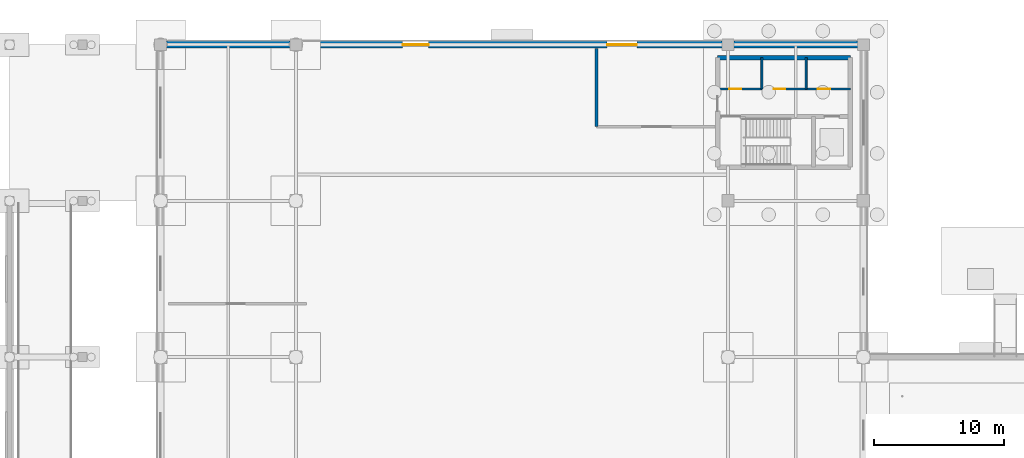
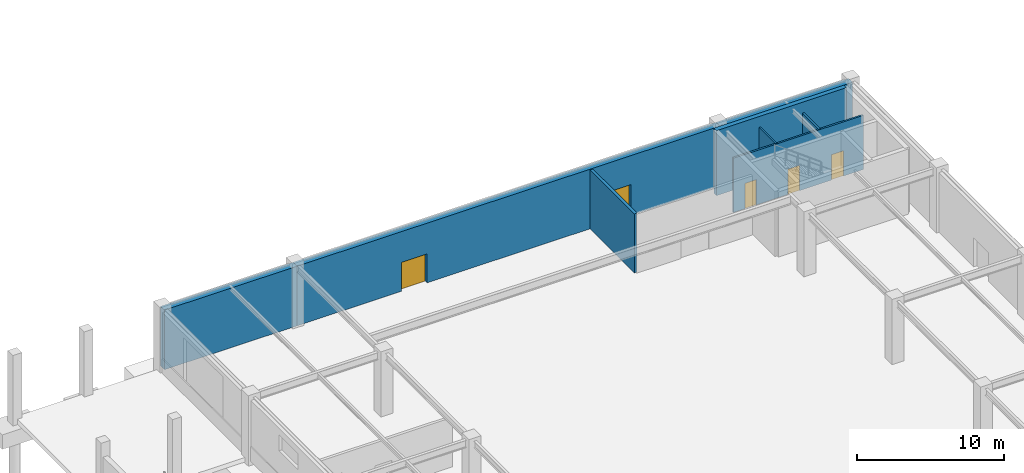
# One storey, part 37 of 53: 8 walls, 5 doors, 5 openings.
"""IFC4 building model written with IfcOpenShell, lengths in metres."""

from ifc_helpers import new_model, si_unit, derived_unit, direction, frame, frame_2d, origin, place, context, subcontext, project, spatial, rectangle, extrude, material, layer, layer_set, type_object, element, fill, save


model = new_model("IFC4")

# Units and contexts
model_context = context("Model", 3, precision=1e-05, world=origin(), true_north=direction((0.0, 1.0)))
body_context = subcontext(model_context, "Body", "Model", "MODEL_VIEW")
ifc_project = project(units=[si_unit("LENGTHUNIT", "METRE"), si_unit("AREAUNIT", "SQUARE_METRE"), si_unit("VOLUMEUNIT", "CUBIC_METRE"), si_unit("PLANEANGLEUNIT", "RADIAN"), si_unit("MASSUNIT", "GRAM", prefix="KILO"), derived_unit("THERMALTRANSMITTANCEUNIT", [(si_unit("POWERUNIT", "WATT"), 1), (si_unit("LENGTHUNIT", "METRE"), -2), (si_unit("THERMODYNAMICTEMPERATUREUNIT", "KELVIN"), -1)])], contexts=[model_context])

# Site, building, storey
site_placement = place(None, origin())
site = spatial("IfcSite", under=ifc_project, at=site_placement, CompositionType="ELEMENT")
building_placement = place(site_placement, origin())
building = spatial("IfcBuilding", under=site, at=building_placement, Name="Almenara Railside Exhibition Hall", CompositionType="ELEMENT")
storey_placement = place(building_placement, origin())
storey = spatial("IfcBuildingStorey", under=building, at=storey_placement, Name="L00", CompositionType="ELEMENT", Elevation=0.0)

# Walls
ifc_material_1 = material(Name="Concrete C35/45", Category="concrete")
ifc_layer_1 = layer(ifc_material_1, 0.35009765625, Name="Concrete C35/45")
ifc_layer_set_1 = layer_set([ifc_layer_1], Name="Concrete C35/45")
wall_type_1 = type_object("IfcWallType", Name="Core Coupled Shear Wall 350mm C35/45", PredefinedType="SHEAR", material=ifc_layer_set_1)
wall_1_placement = place(storey_placement, frame((65.0, 131.0, 0.0), z_axis=(0.0, 0.0, 1.0), x_axis=(-1.0, 0.0, 0.0)))
element("IfcWall", 1, at=wall_1_placement, inside=storey, type_object=wall_type_1, Name="Interior wall 0029", PredefinedType="SHEAR", context=body_context, shape_type="SweptSolid", body=[
    extrude(rectangle(XDim=10.199951171875, YDim=0.35009765625, at=frame_2d((5.10009765625, 0.0))), origin(), (0.0, 0.0, 1.0), 5.39990234375),
])
ifc_material_2 = material(Name="Ochre-white lime-rendered masonry over Concrete C35/45", Category="masonry")
ifc_layer_2 = layer(ifc_material_2, 0.5400390625, Name="Ochre-white lime-rendered masonry over Concrete C35/45")
ifc_layer_set_2 = layer_set([ifc_layer_2], Name="Ochre-white lime-rendered masonry over Concrete C35/45")
wall_type_2 = type_object("IfcWallType", Name="Exterior West Hall Thermal Wall 540mm C35/45", PredefinedType="SOLIDWALL", material=ifc_layer_set_2)
wall_2_placement = place(storey_placement, frame((22.39990234375, 132.0, 0.0), z_axis=(0.0, 0.0, 1.0), x_axis=(-1.0, 0.0, 0.0)))
element("IfcWall", 2, at=wall_2_placement, inside=storey, type_object=wall_type_2, Name="Exterior wall 0064", PredefinedType="SOLIDWALL", context=body_context, shape_type="SweptSolid", body=[
    extrude(rectangle(XDim=10.39990234375, YDim=0.5400390625, at=frame_2d((5.199951171875, 0.0))), origin(), (0.0, 0.0, 1.0), 4.949951171875),
])

# Wall, openings, doors
wall_3_placement = place(storey_placement, frame((55.60009765625, 132.0, 0.0), z_axis=(0.0, 0.0, 1.0), x_axis=(-1.0, 0.0, 0.0)))
wall_3 = element("IfcWall", 3, at=wall_3_placement, inside=storey, type_object=wall_type_2, Name="Exterior wall 0067", PredefinedType="SOLIDWALL", context=body_context, shape_type="SweptSolid", body=[
    extrude(rectangle(XDim=33.2001953125, YDim=0.5400390625, at=frame_2d((16.60009765625, 0.0))), origin(), (0.0, 0.0, 1.0), 4.949951171875),
])
opening_1_placement = place(wall_3_placement, frame((7.0, 0.0, 0.0)))
opening_1 = element("IfcOpeningElement", 4, at=opening_1_placement, cuts=wall_3, Name="Opening ED-06", PredefinedType="OPENING", context=body_context, shape_type="SweptSolid", body=[
    extrude(rectangle(XDim=2.300048828125, YDim=2.550048828125, at=frame_2d((1.14990234375, 1.27490234375))), frame((0.0, 0.280029296875, 0.0), z_axis=(0.0, -1.0, 0.0), x_axis=(1.0, 0.0, 0.0)), (0.0, 0.0, 1.0), 0.56005859375),
])
opening_2_placement = place(wall_3_placement, frame((23.0, 0.0, 0.0)))
opening_2 = element("IfcOpeningElement", 5, at=opening_2_placement, cuts=wall_3, Name="Opening ED-07", PredefinedType="OPENING", context=body_context, shape_type="SweptSolid", body=[
    extrude(rectangle(XDim=2.0, YDim=2.39990234375, at=frame_2d((1.0, 1.199951171875))), frame((0.0, 0.280029296875, 0.0), z_axis=(0.0, -1.0, 0.0), x_axis=(1.0, 0.0, 0.0)), (0.0, 0.0, 1.0), 0.56005859375),
])
ifc_material_3 = material(Name="Bronze-anodised glazed entrance door")
door_type_1 = type_object("IfcDoorType", Name="Hall Gable Double Exit Door 2300x2550", OperationType="NOTDEFINED", PredefinedType="DOOR", material=ifc_material_3)
door_1_placement = place(opening_1_placement, frame((2.300048828125, 0.0, 0.0), z_axis=(0.0, 0.0, 1.0), x_axis=(-1.0, 0.0, 0.0)))
door_1 = element("IfcDoor", 6, at=door_1_placement, inside=storey, type_object=door_type_1, Name="Exterior door ED-06", OperationType="DOUBLE_DOOR_SINGLE_SWING", OverallHeight=2.550048828125, OverallWidth=2.300048828125, PredefinedType="DOOR", context=body_context, shape_type="SweptSolid", body=[
    extrude(rectangle(XDim=2.300048828125, YDim=2.550048828125, at=frame_2d((1.14990234375, 1.27490234375))), frame((0.0, 0.02490234375, 0.0), z_axis=(0.0, -1.0, 0.0), x_axis=(1.0, 0.0, 0.0)), (0.0, 0.0, 1.0), 0.050048828125),
])
fill(opening_1, door_1)
ifc_material_4 = material(Name="Bronze-anodised glazed escape door")
door_type_2 = type_object("IfcDoorType", Name="Pavilion Double Escape Exit Door 2000x2400", OperationType="NOTDEFINED", PredefinedType="DOOR", material=ifc_material_4)
door_2_placement = place(opening_2_placement, frame((2.0, 0.0, 0.0), z_axis=(0.0, 0.0, 1.0), x_axis=(-1.0, 0.0, 0.0)))
door_2 = element("IfcDoor", 7, at=door_2_placement, inside=storey, type_object=door_type_2, Name="Exterior door ED-07", OperationType="DOUBLE_DOOR_SINGLE_SWING", OverallHeight=2.39990234375, OverallWidth=2.0, PredefinedType="DOOR", context=body_context, shape_type="SweptSolid", body=[
    extrude(rectangle(XDim=2.0, YDim=2.39990234375, at=frame_2d((1.0, 1.199951171875))), frame((0.0, 0.02490234375, 0.0), z_axis=(0.0, -1.0, 0.0), x_axis=(1.0, 0.0, 0.0)), (0.0, 0.0, 1.0), 0.050048828125),
])
fill(opening_2, door_2)

# Walls
wall_4_placement = place(storey_placement, frame((66.0, 132.0, 0.0), z_axis=(0.0, 0.0, 1.0), x_axis=(-1.0, 0.0, 0.0)))
element("IfcWall", 8, at=wall_4_placement, inside=storey, type_object=wall_type_2, Name="Exterior wall 0070", PredefinedType="SOLIDWALL", context=body_context, shape_type="SweptSolid", body=[
    extrude(rectangle(XDim=10.39990234375, YDim=0.5400390625, at=frame_2d((5.199951171875, 0.0))), origin(), (0.0, 0.0, 1.0), 4.949951171875),
])
ifc_material_5 = material(Name="Insulated masonry over Concrete C35/45", Category="masonry")
ifc_layer_3 = layer(ifc_material_5, 0.219970703125, Name="Insulated masonry over Concrete C35/45")
ifc_layer_set_3 = layer_set([ifc_layer_3], Name="Insulated masonry over Concrete C35/45")
wall_type_3 = type_object("IfcWallType", Name="Occupancy Separating Fire Wall 220mm", PredefinedType="SOLIDWALL", material=ifc_layer_set_3)
wall_5_placement = place(storey_placement, frame((45.5, 125.699951171875, 0.0), z_axis=(0.0, 0.0, 1.0), x_axis=(0.0, 1.0, 0.0)))
element("IfcWall", 9, at=wall_5_placement, inside=storey, type_object=wall_type_3, Name="Interior wall 0268", PredefinedType="SOLIDWALL", context=body_context, shape_type="SweptSolid", body=[
    extrude(rectangle(XDim=6.0, YDim=0.219970703125, at=frame_2d((3.0, 0.0))), origin(), (0.0, 0.0, 1.0), 4.89990234375),
])

# Wall, openings, doors
ifc_material_6 = material(Name="Moisture-resistant tiled masonry partition", Category="masonry")
ifc_layer_4 = layer(ifc_material_6, 0.139892578125, Name="Moisture-resistant tiled masonry partition")
ifc_layer_set_4 = layer_set([ifc_layer_4], Name="Moisture-resistant tiled masonry partition")
wall_type_4 = type_object("IfcWallType", Name="Sanitary Wet-Wall Partition 140mm", PredefinedType="PARTITIONING", material=ifc_layer_set_4)
wall_6_placement = place(storey_placement, frame((54.800048828125, 128.60009765625, 0.0), z_axis=(0.0, 0.0, 1.0), x_axis=(1.0, 0.0, 0.0)))
wall_6 = element("IfcWall", 10, at=wall_6_placement, inside=storey, type_object=wall_type_4, Name="Interior wall 0034", PredefinedType="PARTITIONING", context=body_context, shape_type="SweptSolid", body=[
    extrude(rectangle(XDim=10.199951171875, YDim=0.139892578125, at=frame_2d((5.10009765625, 0.0))), origin(), (0.0, 0.0, 1.0), 4.5),
])
opening_3_placement = place(wall_6_placement, frame((0.89990234375, 0.0, 0.0)))
opening_3 = element("IfcOpeningElement", 11, at=opening_3_placement, cuts=wall_6, Name="Opening ID-09", PredefinedType="OPENING", context=body_context, shape_type="SweptSolid", body=[
    extrude(rectangle(XDim=0.89990234375, YDim=2.10009765625, at=frame_2d((0.449951171875, 1.050048828125))), frame((0.0, 0.079833984375, 0.0), z_axis=(0.0, -1.0, 0.0), x_axis=(1.0, 0.0, 0.0)), (0.0, 0.0, 1.0), 0.159912109375),
])
opening_4_placement = place(wall_6_placement, frame((4.300048828125, 0.0, 0.0)))
opening_4 = element("IfcOpeningElement", 12, at=opening_4_placement, cuts=wall_6, Name="Opening ID-09", PredefinedType="OPENING", context=body_context, shape_type="SweptSolid", body=[
    extrude(rectangle(XDim=0.89990234375, YDim=2.10009765625, at=frame_2d((0.449951171875, 1.050048828125))), frame((0.0, 0.079833984375, 0.0), z_axis=(0.0, -1.0, 0.0), x_axis=(1.0, 0.0, 0.0)), (0.0, 0.0, 1.0), 0.159912109375),
])
opening_5_placement = place(wall_6_placement, frame((7.699951171875, 0.0, 0.0)))
opening_5 = element("IfcOpeningElement", 13, at=opening_5_placement, cuts=wall_6, Name="Opening ID-095", PredefinedType="OPENING", context=body_context, shape_type="SweptSolid", body=[
    extrude(rectangle(XDim=0.949951171875, YDim=2.10009765625, at=frame_2d((0.47509765625, 1.050048828125))), frame((0.0, 0.079833984375, 0.0), z_axis=(0.0, -1.0, 0.0), x_axis=(1.0, 0.0, 0.0)), (0.0, 0.0, 1.0), 0.159912109375),
])
ifc_material_7 = material(Name="Moisture-resistant hardwood door", Category="wood")
door_type_3 = type_object("IfcDoorType", Name="Accessible Toilet Door 950x2100", OperationType="NOTDEFINED", PredefinedType="DOOR", material=ifc_material_7)
door_3_placement = place(opening_5_placement, origin())
door_3 = element("IfcDoor", 14, at=door_3_placement, inside=storey, type_object=door_type_3, Name="Interior door ID-095-024", OperationType="SINGLE_SWING_RIGHT", OverallHeight=2.10009765625, OverallWidth=0.949951171875, PredefinedType="DOOR", context=body_context, shape_type="SweptSolid", body=[
    extrude(rectangle(XDim=0.949951171875, YDim=2.10009765625, at=frame_2d((0.47509765625, 1.050048828125))), frame((0.0, 0.02490234375, 0.0), z_axis=(0.0, -1.0, 0.0), x_axis=(1.0, 0.0, 0.0)), (0.0, 0.0, 1.0), 0.050048828125),
])
fill(opening_5, door_3)
door_type_4 = type_object("IfcDoorType", Name="Sanitary Lobby Single Door 900x2100", OperationType="NOTDEFINED", PredefinedType="DOOR", material=ifc_material_7)
door_4_placement = place(opening_3_placement, origin())
door_4 = element("IfcDoor", 15, at=door_4_placement, inside=storey, type_object=door_type_4, Name="Interior door ID-09-022", OperationType="SINGLE_SWING_RIGHT", OverallHeight=2.10009765625, OverallWidth=0.89990234375, PredefinedType="DOOR", context=body_context, shape_type="SweptSolid", body=[
    extrude(rectangle(XDim=0.89990234375, YDim=2.10009765625, at=frame_2d((0.449951171875, 1.050048828125))), frame((0.0, 0.02490234375, 0.0), z_axis=(0.0, -1.0, 0.0), x_axis=(1.0, 0.0, 0.0)), (0.0, 0.0, 1.0), 0.050048828125),
])
fill(opening_3, door_4)
door_5_placement = place(opening_4_placement, origin())
door_5 = element("IfcDoor", 16, at=door_5_placement, inside=storey, type_object=door_type_4, Name="Interior door ID-09-023", OperationType="SINGLE_SWING_LEFT", OverallHeight=2.10009765625, OverallWidth=0.89990234375, PredefinedType="DOOR", context=body_context, shape_type="SweptSolid", body=[
    extrude(rectangle(XDim=0.89990234375, YDim=2.10009765625, at=frame_2d((0.449951171875, 1.050048828125))), frame((0.0, 0.02490234375, 0.0), z_axis=(0.0, -1.0, 0.0), x_axis=(1.0, 0.0, 0.0)), (0.0, 0.0, 1.0), 0.050048828125),
])
fill(opening_4, door_5)

# Walls
for number, where, z_axis, x_axis, name in (
    (17, (58.199951171875, 128.60009765625, 0.0), (0.0, 0.0, 1.0), (0.0, 1.0, 0.0), "Interior wall 0035"),
    (18, (61.60009765625, 128.60009765625, 0.0), (0.0, 0.0, 1.0), (0.0, 1.0, 0.0), "Interior wall 0036"),
):
    element("IfcWall", number, at=place(storey_placement, frame(where, z_axis=z_axis, x_axis=x_axis)), inside=storey, type_object=wall_type_4, Name=name, PredefinedType="PARTITIONING", context=body_context, shape_type="SweptSolid", body=[
        extrude(rectangle(XDim=2.39990234375, YDim=0.139892578125, at=frame_2d((1.199951171875, 0.0))), origin(), (0.0, 0.0, 1.0), 4.5),
    ])

save(model, "model.ifc")
